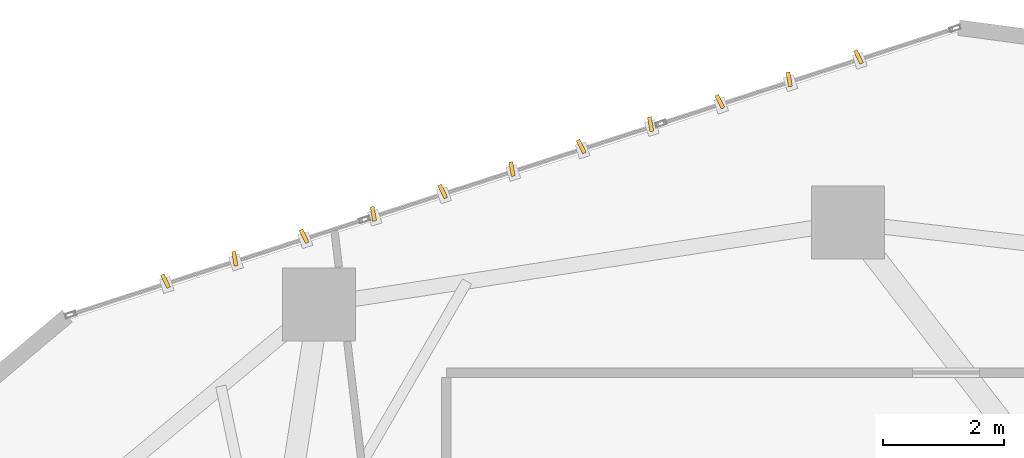
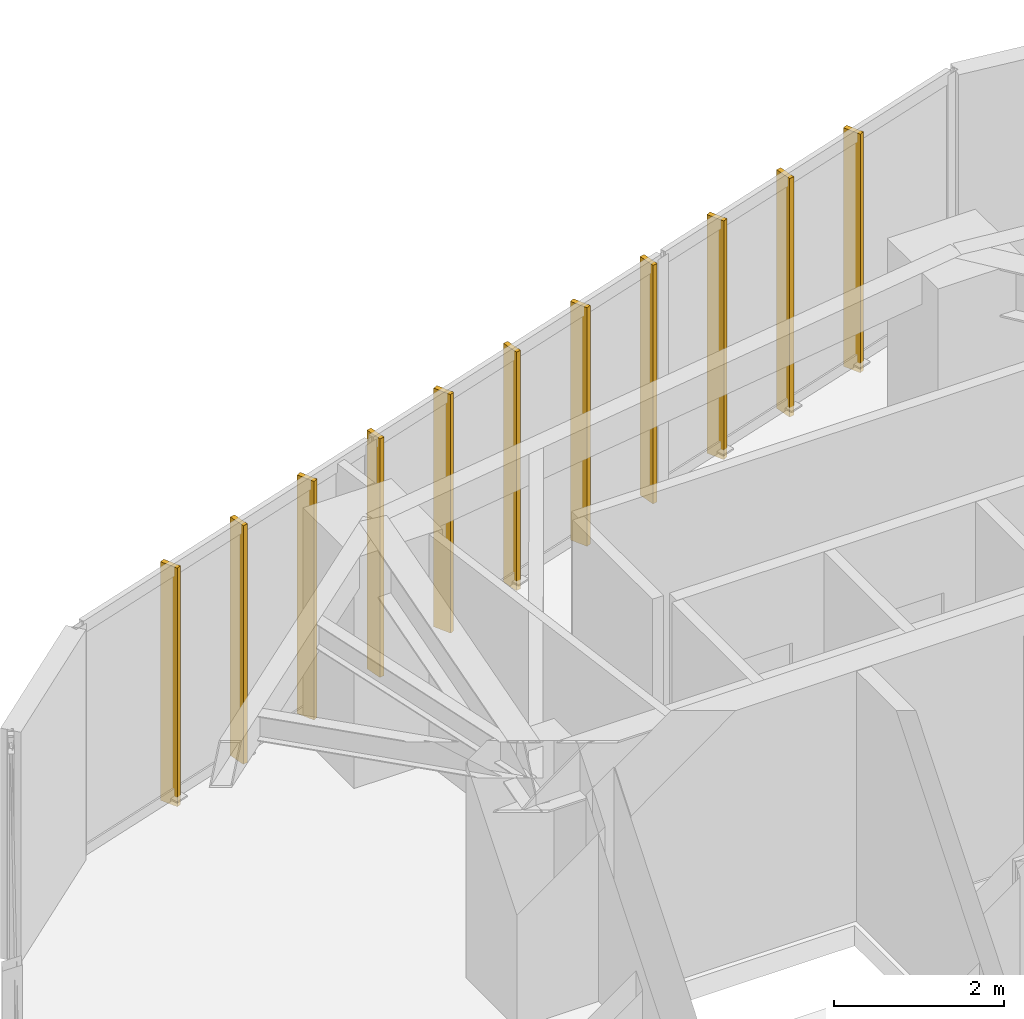
# One storey, part 21 of 21: 11 shading devices.
"""IFC4 building model written with IfcOpenShell, lengths in metres."""

from ifc_helpers import new_model, si_unit, direction, frame, origin, origin_2d, place, context, subcontext, project, spatial, rectangle, extrude, source, transform, mapped, material, layer, layer_set, type_object, type_shapes, element, save


model = new_model("IFC4")

# Units and contexts
model_context = context("Model", 3, precision=1e-05, world=origin(), true_north=direction((0.0, 1.0)))
body_context = subcontext(model_context, "Body", "Model", "MODEL_VIEW")
ifc_project = project(units=[si_unit("LENGTHUNIT", "METRE"), si_unit("AREAUNIT", "SQUARE_METRE"), si_unit("VOLUMEUNIT", "CUBIC_METRE"), si_unit("PLANEANGLEUNIT", "RADIAN"), si_unit("MASSUNIT", "GRAM", prefix="KILO")], contexts=[model_context])

# Site, building, storey
site_placement = place(None, origin())
site = spatial("IfcSite", under=ifc_project, at=site_placement, CompositionType="ELEMENT")
building_placement = place(site_placement, origin())
building = spatial("IfcBuilding", under=site, at=building_placement, Name="Talar Marvaseh", CompositionType="ELEMENT")
storey_placement = place(building_placement, frame((0.0, 0.0, 143.39990234375)))
storey = spatial("IfcBuildingStorey", under=building, at=storey_placement, Name="L37", CompositionType="ELEMENT", Elevation=143.39990234375)

# Shading devices
ifc_material = material(Name="Anodised Champagne Bronze Aluminium", Category="aluminium")
ifc_layer = layer(ifc_material, 0.06494140625)
ifc_layer_set = layer_set([ifc_layer], Name="Anodised Champagne Bronze Aluminium")
shading_device_type = type_object("IfcShadingDeviceType", Name="Sawtooth Champagne Bronze Vertical Fin 240", PredefinedType="USERDEFINED", material=ifc_layer_set)
shared_shape = source(origin(), body_context, "Body", "SweptSolid", [
    extrude(rectangle(XDim=0.239990234375, YDim=0.06494140625, at=origin_2d()), origin(), (0.0, 0.0, 1.0), 3.429931640625),
])
type_shapes(shading_device_type, [shared_shape])
for number, where, z_axis, x_axis, name in (
    (1, (16.974853515625, 42.507568359375, -0.11962890625), (0.0, 0.0, 1.0), (-0.437272735822, 0.899328946775, 0.0), "L37 Sawtooth Vertical Solar Fin"),
    (2, (18.116455078125, 42.876953125, -0.11962890625), (0.0, 0.0, 1.0), (-0.172444878725, 0.985019169256, 0.0), "L37 Sawtooth Vertical Solar Fin"),
    (3, (19.25830078125, 43.246337890625, -0.11962890625), (0.0, 0.0, 1.0), (-0.437272735822, 0.899328946775, 0.0), "L37 Sawtooth Vertical Solar Fin"),
    (4, (20.39990234375, 43.615966796875, -0.11962890625), (0.0, 0.0, 1.0), (-0.172444878725, 0.985019169256, 0.0), "L37 Sawtooth Vertical Solar Fin"),
    (5, (21.54150390625, 43.9853515625, -0.11962890625), (0.0, 0.0, 1.0), (-0.437272735822, 0.899328946775, 0.0), "L37 Sawtooth Vertical Solar Fin"),
    (6, (22.683349609375, 44.354736328125, -0.11962890625), (0.0, 0.0, 1.0), (-0.172444878725, 0.985019169256, 0.0), "L37 Sawtooth Vertical Solar Fin"),
    (7, (23.824951171875, 44.724365234375, -0.11962890625), (0.0, 0.0, 1.0), (-0.437272735822, 0.899328946775, 0.0), "L37 Sawtooth Vertical Solar Fin"),
    (8, (24.966796875, 45.09375, -0.11962890625), (0.0, 0.0, 1.0), (-0.172444878725, 0.985019169256, 0.0), "L37 Sawtooth Vertical Solar Fin"),
    (9, (26.1083984375, 45.463134765625, -0.11962890625), (0.0, 0.0, 1.0), (-0.437272735822, 0.899328946775, 0.0), "L37 Sawtooth Vertical Solar Fin"),
    (10, (27.250244140625, 45.832763671875, -0.11962890625), (0.0, 0.0, 1.0), (-0.172444878725, 0.985019169256, 0.0), "L37 Sawtooth Vertical Solar Fin"),
    (11, (28.391845703125, 46.2021484375, -0.11962890625), (0.0, 0.0, 1.0), (-0.437272735822, 0.899328946775, 0.0), "L37 Sawtooth Vertical Solar Fin"),
):
    element("IfcShadingDevice", number, at=place(storey_placement, frame(where, z_axis=z_axis, x_axis=x_axis)), inside=storey, type_object=shading_device_type, Name=name, ObjectType="FIN", PredefinedType="USERDEFINED", context=body_context, shape_type="MappedRepresentation", body=[
        mapped(shared_shape, transform((0.0, 0.0, 0.0), x_axis=(1.0, 0.0, 0.0), y_axis=(0.0, 1.0, 0.0), z_axis=(0.0, 0.0, 1.0), scale=1.0)),
    ])

save(model, "model.ifc")
